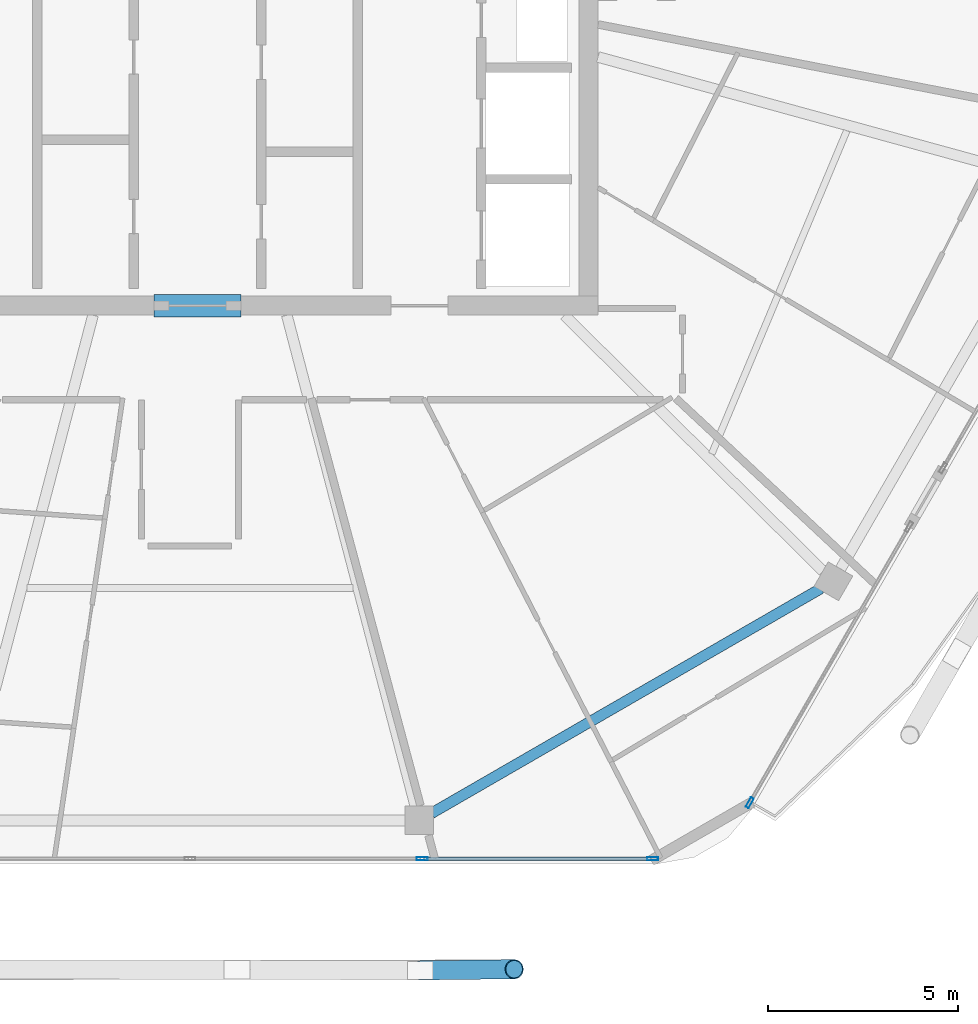
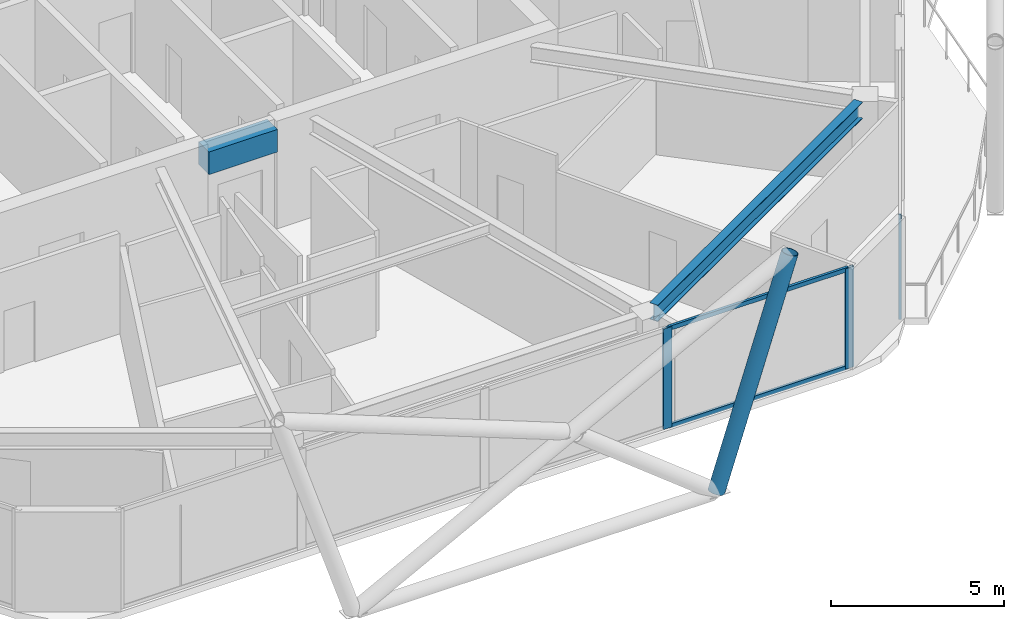
# One storey, part 7 of 24: 6 members, 2 beams, 2 elements without a shape of their own.
"""IFC4 building model written with IfcOpenShell, lengths in metres."""

from ifc_helpers import new_model, si_unit, direction, frame, origin, origin_2d, place, context, subcontext, project, spatial, rectangle, hollow_rectangle, hollow_circle, i_section, extrude, material, material_profile, profile_set, type_object, element, aggregate, save


model = new_model("IFC4")

# Units and contexts
model_context = context("Model", 3, precision=1e-05, world=origin(), true_north=direction((0.0, 1.0)))
body_context = subcontext(model_context, "Body", "Model", "MODEL_VIEW")
ifc_project = project(units=[si_unit("LENGTHUNIT", "METRE"), si_unit("AREAUNIT", "SQUARE_METRE"), si_unit("VOLUMEUNIT", "CUBIC_METRE"), si_unit("PLANEANGLEUNIT", "RADIAN"), si_unit("MASSUNIT", "GRAM", prefix="KILO")], contexts=[model_context])

# Site, building, storey
site_placement = place(None, origin())
site = spatial("IfcSite", under=ifc_project, at=site_placement, CompositionType="ELEMENT")
building_placement = place(site_placement, origin())
building = spatial("IfcBuilding", under=site, at=building_placement, Name="Zuhravey Tower", CompositionType="ELEMENT")
storey_placement = place(building_placement, frame((0.0, 0.0, 338.60009765625)))
storey = spatial("IfcBuildingStorey", under=building, at=storey_placement, Name="L86", CompositionType="ELEMENT", Elevation=338.60009765625)

# Beam
ifc_material_1 = material(Name="Concrete C50/60", Category="concrete")
ifc_material_profile_1 = material_profile(ifc_material_1, rectangle(XDim=0.60009765625, YDim=0.800048828125, at=origin_2d()), Name="RC-600x800")
ifc_profile_set_1 = profile_set([ifc_material_profile_1], Name="Concrete C50/60")
beam_type_1 = type_object("IfcBeamType", Name="Core Coupling Beam RC600x800", PredefinedType="LINTEL", material=ifc_profile_set_1)
beam_1_placement = place(storey_placement, frame((35.052001953125, 22.5, 3.14990234375), z_axis=(1.0, 0.0, 0.0), x_axis=(0.0, 1.0, 0.0)))
element("IfcBeam", 1, at=beam_1_placement, inside=storey, type_object=beam_type_1, Name="L86 CB2 BM-L86-CB-S", PredefinedType="LINTEL", context=body_context, shape_type="SweptSolid", body=[
    extrude(rectangle(XDim=0.60009765625, YDim=0.800048828125, at=origin_2d()), origin(), (0.0, 0.0, 1.0), 2.2958984375),
])

# Curtain wall, member
ifc_material_2 = material(Name="Thermally broken anodised aluminium", Category="aluminium")
curtain_wall_type = type_object("IfcCurtainWallType", Name="Zone 3-4 High-Rise Curtain Wall CW4", PredefinedType="NOTDEFINED", material=ifc_material_2)
curtain_wall_1_placement = place(storey_placement, origin())
curtain_wall_1 = element("IfcCurtainWall", 2, at=curtain_wall_1_placement, inside=storey, type_object=curtain_wall_type, Name="L86 CW4 CW-L86-F6-2", PredefinedType="NOTDEFINED")
ifc_material_3 = material(Name="Anodised aluminium", Category="aluminium")
ifc_material_profile_2 = material_profile(ifc_material_3, hollow_rectangle(XDim=0.090087890625, YDim=0.284912109375, WallThickness=0.0048828125, at=origin_2d()), Name="ALU-RHS-90x285x5")
ifc_profile_set_2 = profile_set([ifc_material_profile_2], Name="Anodised aluminium")
member_type_1 = type_object("IfcMemberType", Name="Curtain-Wall Mullion 90x180", PredefinedType="MULLION", material=ifc_profile_set_2)
member_1_placement = place(storey_placement, frame((50.751708984375, 9.40234375, 0.0), z_axis=(0.0, 0.0, 1.0), x_axis=(0.866025806885, -0.499999301808, 0.0)))
member_1 = element("IfcMember", 3, at=member_1_placement, type_object=member_type_1, Name="CW4 mullion 2", PredefinedType="MULLION", context=body_context, shape_type="SweptSolid", body=[
    extrude(hollow_rectangle(XDim=0.090087890625, YDim=0.284912109375, WallThickness=0.0048828125, at=origin_2d()), origin(), (0.0, 0.0, 1.0), 3.5498046875),
])
aggregate(curtain_wall_1, [member_1])

# Curtain wall, members
curtain_wall_2_placement = place(storey_placement, origin())
curtain_wall_2 = element("IfcCurtainWall", 4, at=curtain_wall_2_placement, inside=storey, type_object=curtain_wall_type, Name="L86 CW4 CW-L86-F5-1", PredefinedType="NOTDEFINED")
member_2_placement = place(storey_placement, frame((48.1943359375, 7.92578125, 0.0), z_axis=(0.0, 0.0, 1.0), x_axis=(0.0, -1.0, 0.0)))
member_2 = element("IfcMember", 5, at=member_2_placement, type_object=member_type_1, Name="CW4 mullion 1", PredefinedType="MULLION", context=body_context, shape_type="SweptSolid", body=[
    extrude(hollow_rectangle(XDim=0.090087890625, YDim=0.284912109375, WallThickness=0.0048828125, at=origin_2d()), origin(), (0.0, 0.0, 1.0), 3.5498046875),
])
member_3_placement = place(storey_placement, frame((42.11962890625, 7.92578125, 0.0), z_axis=(0.0, 0.0, 1.0), x_axis=(0.0, -1.0, 0.0)))
member_3 = element("IfcMember", 6, at=member_3_placement, type_object=member_type_1, Name="CW4 mullion 2", PredefinedType="MULLION", context=body_context, shape_type="SweptSolid", body=[
    extrude(hollow_rectangle(XDim=0.090087890625, YDim=0.284912109375, WallThickness=0.0048828125, at=origin_2d()), origin(), (0.0, 0.0, 1.0), 3.5498046875),
])
ifc_material_profile_3 = material_profile(ifc_material_3, hollow_rectangle(XDim=0.090087890625, YDim=0.14990234375, WallThickness=0.0048828125, at=origin_2d()), Name="ALU-RHS-90x150x5")
ifc_profile_set_3 = profile_set([ifc_material_profile_3], Name="Anodised aluminium")
member_type_2 = type_object("IfcMemberType", Name="Curtain-Wall Transom 90x150", PredefinedType="USERDEFINED", material=ifc_profile_set_3)
member_4_placement = place(storey_placement, frame((48.1494140625, 7.92578125, 0.044921875), z_axis=(-1.0, 0.0, 0.0), x_axis=(0.0, -1.0, 0.0)))
member_4 = element("IfcMember", 7, at=member_4_placement, type_object=member_type_2, Name="CW4 transom 1.1", ObjectType="TRANSOM", PredefinedType="USERDEFINED", context=body_context, shape_type="SweptSolid", body=[
    extrude(hollow_rectangle(XDim=0.090087890625, YDim=0.14990234375, WallThickness=0.0048828125, at=origin_2d()), origin(), (0.0, 0.0, 1.0), 5.98486328125),
])
member_5_placement = place(storey_placement, frame((48.1494140625, 7.92578125, 3.5048828125), z_axis=(-1.0, 0.0, 0.0), x_axis=(0.0, -1.0, 0.0)))
member_5 = element("IfcMember", 8, at=member_5_placement, type_object=member_type_2, Name="CW4 transom 1.2", ObjectType="TRANSOM", PredefinedType="USERDEFINED", context=body_context, shape_type="SweptSolid", body=[
    extrude(hollow_rectangle(XDim=0.090087890625, YDim=0.14990234375, WallThickness=0.0048828125, at=origin_2d()), origin(), (0.0, 0.0, 1.0), 5.98486328125),
])
aggregate(curtain_wall_2, [member_2, member_3, member_4, member_5])

# Member
ifc_material_4 = material(Name="Steel SM355", Category="steel")
ifc_material_profile_4 = material_profile(ifc_material_4, hollow_circle(Radius=0.25390625, WallThickness=0.02490234375, at=origin_2d()), Name="CHS-508.0x25")
ifc_profile_set_4 = profile_set([ifc_material_profile_4], Name="Steel SM355")
member_type_3 = type_object("IfcMemberType", Name="Exoskeleton Zone 4 Diagrid CHS508x25", PredefinedType="BRACE", material=ifc_profile_set_4)
member_6_placement = place(storey_placement, frame((42.072509765625, 4.98583984375, -0.447998046875), z_axis=(0.310460650695, 0.003771894512, 0.950578748543), x_axis=(-0.012148451521, 0.99992620484, 0.0)))
element("IfcMember", 9, at=member_6_placement, inside=storey, type_object=member_type_3, Name="L86 Face 5 Diagrid Brace 4", PredefinedType="BRACE", context=body_context, shape_type="SweptSolid", body=[
    extrude(hollow_circle(Radius=0.25390625, WallThickness=0.02490234375, at=origin_2d()), origin(), (0.0, 0.0, 1.0), 7.96142578125),
])

# Beam
ifc_material_profile_5 = material_profile(ifc_material_4, i_section(OverallWidth=0.280029296875, OverallDepth=0.580078125, WebThickness=0.011962890625, FlangeThickness=0.01904296875, at=origin_2d()), Name="H-580x280x12x19")
ifc_profile_set_5 = profile_set([ifc_material_profile_5], Name="Steel SM355")
beam_type_2 = type_object("IfcBeamType", Name="Perimeter Ring Beam H580x280", PredefinedType="BEAM", material=ifc_profile_set_5)
beam_2_placement = place(storey_placement, frame((42.365966796875, 9.125, 3.260009765625), z_axis=(0.866030838723, 0.499990586292, 0.0), x_axis=(-0.499990586292, 0.866030838723, 0.0)))
element("IfcBeam", 10, at=beam_2_placement, inside=storey, type_object=beam_type_2, Name="L86 PB4 BM-L86-PB-10", PredefinedType="BEAM", context=body_context, shape_type="SweptSolid", body=[
    extrude(i_section(OverallWidth=0.280029296875, OverallDepth=0.580078125, WebThickness=0.011962890625, FlangeThickness=0.01904296875, at=origin_2d()), origin(), (0.0, 0.0, 1.0), 11.848876953125),
])

save(model, "model.ifc")
